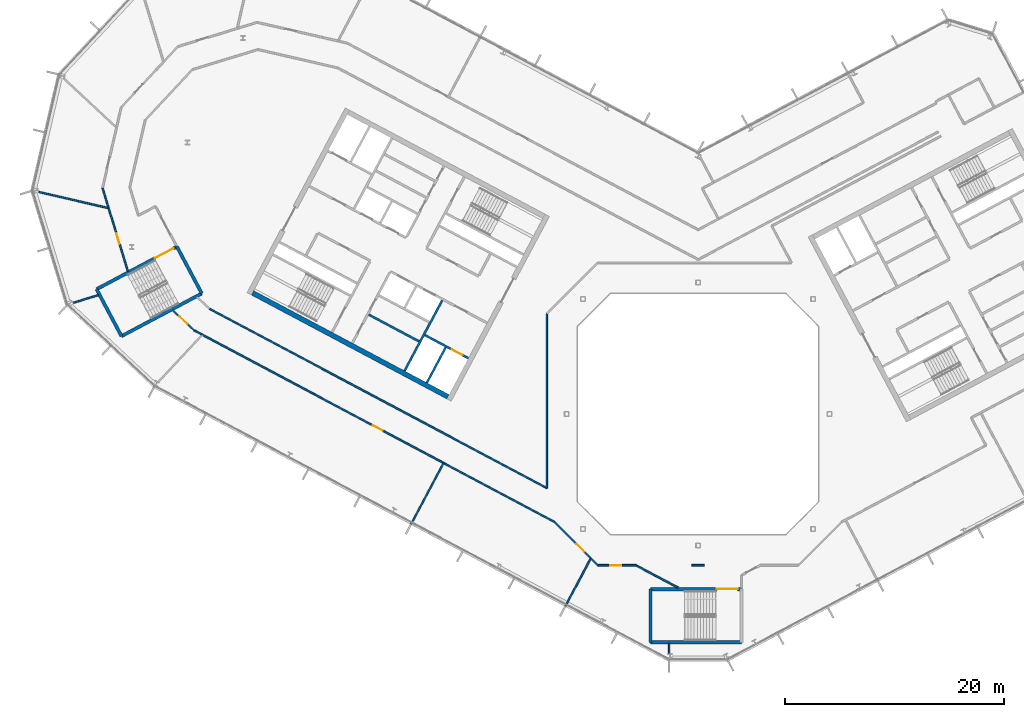
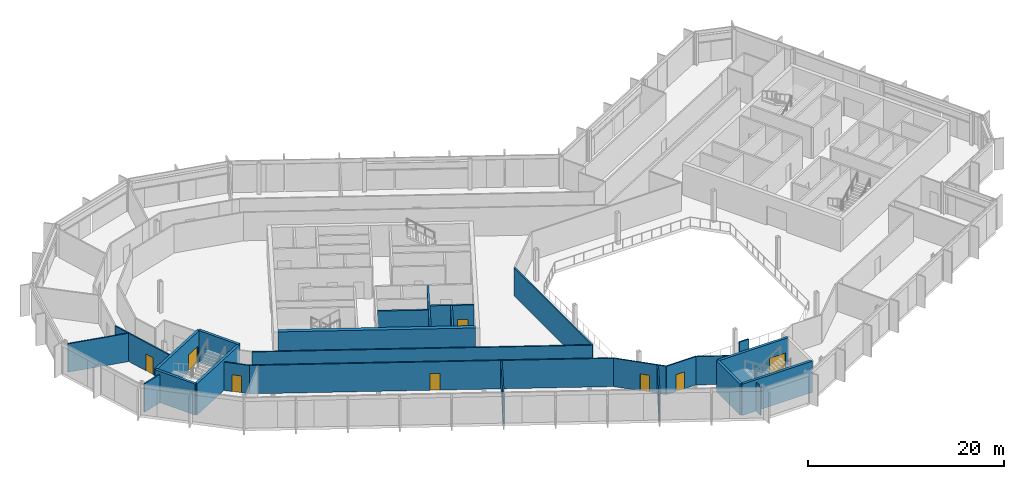
# One storey, part 13 of 26: 29 walls, 8 doors, 8 openings.
"""IFC4 building model written with IfcOpenShell, lengths in metres."""

from ifc_helpers import new_model, si_unit, direction, frame, frame_2d, origin, place, context, subcontext, project, spatial, rectangle, extrude, material, layer, layer_set, type_object, element, fill, save


model = new_model("IFC4")

# Units and contexts
model_context = context("Model", 3, precision=1e-05, world=origin(), true_north=direction((0.0, 1.0)))
body_context = subcontext(model_context, "Body", "Model", "MODEL_VIEW")
ifc_project = project(units=[si_unit("LENGTHUNIT", "METRE"), si_unit("AREAUNIT", "SQUARE_METRE"), si_unit("VOLUMEUNIT", "CUBIC_METRE"), si_unit("PLANEANGLEUNIT", "RADIAN"), si_unit("MASSUNIT", "GRAM", prefix="KILO")], contexts=[model_context])

# Site, building, storey
site_placement = place(None, origin())
site = spatial("IfcSite", under=ifc_project, at=site_placement, CompositionType="ELEMENT")
building_placement = place(site_placement, origin())
building = spatial("IfcBuilding", under=site, at=building_placement, Name="Cormorant Relay Tower", CompositionType="ELEMENT")
storey_placement = place(building_placement, frame((0.0, 0.0, 293.10009765625)))
storey = spatial("IfcBuildingStorey", under=building, at=storey_placement, Name="L66", CompositionType="ELEMENT", Elevation=293.10009765625)

# Walls
ifc_material_1 = material(Name="Concrete 40 MPa", Category="concrete")
ifc_layer_1 = layer(ifc_material_1, 0.199951171875)
ifc_layer_set_1 = layer_set([ifc_layer_1], Name="Core internal wall 200")
wall_type_1 = type_object("IfcWallType", Name="Core internal wall 200", PredefinedType="SOLIDWALL", material=ifc_layer_set_1)
wall_1_placement = place(storey_placement, frame((-25.46728515625, 6.632568359375, 0.0), z_axis=(0.0, 0.0, 1.0), x_axis=(-0.882953967957, 0.469459572775, 0.0)))
element("IfcWall", 1, at=wall_1_placement, inside=storey, type_object=wall_type_1, Name="L66 core A shaft and room wall", PredefinedType="SOLIDWALL", context=body_context, shape_type="SweptSolid", body=[
    extrude(rectangle(XDim=5.199951171875, YDim=0.199951171875, at=frame_2d((2.60009765625, 0.0))), origin(), (0.0, 0.0, 1.0), 3.89990234375),
])
ifc_material_2 = material(Name="Concrete 50 MPa", Category="concrete")
ifc_layer_2 = layer(ifc_material_2, 0.199951171875)
ifc_layer_set_2 = layer_set([ifc_layer_2], Name="Core shaft wall 200")
wall_type_2 = type_object("IfcWallType", Name="Core shaft wall 200", PredefinedType="SHEAR", material=ifc_layer_set_2)
wall_2_placement = place(storey_placement, frame((-23.04296875, 6.07958984375, 0.0), z_axis=(0.0, 0.0, 1.0), x_axis=(-0.469494272526, -0.882935517501, 0.0)))
element("IfcWall", 2, at=wall_2_placement, inside=storey, type_object=wall_type_2, Name="L66 core A shaft wall", PredefinedType="SHEAR", context=body_context, shape_type="SweptSolid", body=[
    extrude(rectangle(XDim=3.64990234375, YDim=0.199951171875, at=frame_2d((1.824951171875, 0.0))), origin(), (0.0, 0.0, 1.0), 3.89990234375),
])
wall_3_placement = place(storey_placement, frame((-23.360107421875, 10.38232421875, 0.0), z_axis=(0.0, 0.0, 1.0), x_axis=(-0.469480409012, -0.88294288918, 0.0)))
element("IfcWall", 3, at=wall_3_placement, inside=storey, type_object=wall_type_2, Name="L66 core A shaft wall", PredefinedType="SHEAR", context=body_context, shape_type="SweptSolid", body=[
    extrude(rectangle(XDim=7.300048828125, YDim=0.199951171875, at=frame_2d((3.64990234375, 0.0))), origin(), (0.0, 0.0, 1.0), 3.89990234375),
])

# Wall, opening, door
wall_4_placement = place(storey_placement, frame((-20.96533203125, 5.088134765625, 0.0), z_axis=(0.0, 0.0, 1.0), x_axis=(-0.882925986334, 0.469512196493, 0.0)))
wall_4 = element("IfcWall", 4, at=wall_4_placement, inside=storey, type_object=wall_type_2, Name="L66 core A shaft wall", PredefinedType="SHEAR", context=body_context, shape_type="SweptSolid", body=[
    extrude(rectangle(XDim=4.5, YDim=0.199951171875, at=frame_2d((2.25, 0.0))), origin(), (0.0, 0.0, 1.0), 3.89990234375),
])
opening_1_placement = place(wall_4_placement, frame((0.60009765625, 0.0, 0.0)))
opening_1 = element("IfcOpeningElement", 5, at=opening_1_placement, cuts=wall_4, Name="Opening LD1-063", PredefinedType="OPENING", context=body_context, shape_type="SweptSolid", body=[
    extrude(rectangle(XDim=1.10009765625, YDim=2.10009765625, at=frame_2d((0.550048828125, 1.050048828125))), frame((0.0, 0.10986328125, 0.0), z_axis=(0.0, -1.0, 0.0), x_axis=(1.0, 0.0, 0.0)), (0.0, 0.0, 1.0), 0.219970703125),
])
ifc_material_3 = material(Name="Stainless steel 316", Category="steel")
door_type_1 = type_object("IfcDoorType", Name="Lift landing door 1100x2100", OperationType="DOUBLE_DOOR_SLIDING", PredefinedType="DOOR", material=ifc_material_3)
door_1_placement = place(opening_1_placement, origin())
door_1 = element("IfcDoor", 6, at=door_1_placement, inside=storey, type_object=door_type_1, Name="FF1 landing door", OperationType="DOUBLE_DOOR_SLIDING", OverallHeight=2.10009765625, OverallWidth=1.10009765625, PredefinedType="DOOR", context=body_context, shape_type="SweptSolid", body=[
    extrude(rectangle(XDim=1.10009765625, YDim=2.10009765625, at=frame_2d((0.550048828125, 1.050048828125))), frame((0.0, 0.02490234375, 0.0), z_axis=(0.0, -1.0, 0.0), x_axis=(1.0, 0.0, 0.0)), (0.0, 0.0, 1.0), 0.050048828125),
])
fill(opening_1, door_1)

# Walls
ifc_material_4 = material(Name="Concrete 50 MPa", Category="concrete")
ifc_layer_3 = layer(ifc_material_4, 0.449951171875)
ifc_layer_set_3 = layer_set([ifc_layer_3], Name="Core wall 450")
wall_type_3 = type_object("IfcWallType", Name="Core wall 450", PredefinedType="SHEAR", material=ifc_layer_set_3)
wall_5_placement = place(storey_placement, frame((-22.83154296875, 1.578369140625, 0.0), z_axis=(0.0, 0.0, 1.0), x_axis=(-0.88294509198, 0.469476266226, 0.0)))
element("IfcWall", 7, at=wall_5_placement, inside=storey, type_object=wall_type_3, Name="L66 core A wall", PredefinedType="SHEAR", context=body_context, shape_type="SweptSolid", body=[
    extrude(rectangle(XDim=20.199951171875, YDim=0.449951171875, at=frame_2d((10.10009765625, 0.0))), origin(), (0.0, 0.0, 1.0), 3.89990234375),
])
ifc_material_5 = material(Name="Gypsum board fire partition")
ifc_layer_4 = layer(ifc_material_5, 0.14990234375)
ifc_layer_set_4 = layer_set([ifc_layer_4], Name="Corridor partition 150 EI 60")
wall_type_4 = type_object("IfcWallType", Name="Corridor partition 150 EI 60", PredefinedType="PARTITIONING", material=ifc_layer_set_4)
wall_6_placement = place(storey_placement, frame((-54.35693359375, 20.615966796875, 0.0), z_axis=(0.0, 0.0, 1.0), x_axis=(0.29225817084, -0.956339459385, 0.0)))
element("IfcWall", 8, at=wall_6_placement, inside=storey, type_object=wall_type_4, Name="wall/L66/part/005", PredefinedType="PARTITIONING", context=body_context, shape_type="SweptSolid", body=[
    extrude(rectangle(XDim=1.8779296875, YDim=0.14990234375, at=frame_2d((0.93896484375, 0.0))), origin(), (0.0, 0.0, 1.0), 3.539794921875),
])

# Wall, opening, door
wall_7_placement = place(storey_placement, frame((-52.0380859375, 13.031005859375, 0.0), z_axis=(0.0, 0.0, 1.0), x_axis=(-0.29239066517, 0.956298958967, 0.0)))
wall_7 = element("IfcWall", 9, at=wall_7_placement, inside=storey, type_object=wall_type_4, Name="wall/L66/part/006", PredefinedType="PARTITIONING", context=body_context, shape_type="SweptSolid", body=[
    extrude(rectangle(XDim=6.0537109375, YDim=0.14990234375, at=frame_2d((3.02685546875, 0.0))), origin(), (0.0, 0.0, 1.0), 3.539794921875),
])
opening_2_placement = place(wall_7_placement, frame((2.60009765625, 0.0, 0.0)))
opening_2 = element("IfcOpeningElement", 10, at=opening_2_placement, cuts=wall_7, Name="Opening DS-227", PredefinedType="OPENING", context=body_context, shape_type="SweptSolid", body=[
    extrude(rectangle(XDim=1.0, YDim=2.10009765625, at=frame_2d((0.5, 1.050048828125))), frame((0.0, 0.0849609375, 0.0), z_axis=(0.0, -1.0, 0.0), x_axis=(1.0, 0.0, 0.0)), (0.0, 0.0, 1.0), 0.169921875),
])
ifc_material_6 = material(Name="Timber door leaf", Category="wood")
door_type_2 = type_object("IfcDoorType", Name="Suite door 1000x2100", OperationType="SINGLE_SWING_LEFT", PredefinedType="DOOR", material=ifc_material_6)
door_2_placement = place(opening_2_placement, origin())
door_2 = element("IfcDoor", 11, at=door_2_placement, inside=storey, type_object=door_type_2, Name="door/L66/012", OperationType="SINGLE_SWING_LEFT", OverallHeight=2.10009765625, OverallWidth=1.0, PredefinedType="DOOR", context=body_context, shape_type="SweptSolid", body=[
    extrude(rectangle(XDim=1.0, YDim=2.10009765625, at=frame_2d((0.5, 1.050048828125))), frame((0.0, 0.02490234375, 0.0), z_axis=(0.0, -1.0, 0.0), x_axis=(1.0, 0.0, 0.0)), (0.0, 0.0, 1.0), 0.050048828125),
])
fill(opening_2, door_2)

# Walls
wall_8_placement = place(storey_placement, frame((-13.800048828125, 9.159912109375, 0.0), z_axis=(0.0, 0.0, 1.0), x_axis=(0.0, -1.0, 0.0)))
element("IfcWall", 12, at=wall_8_placement, inside=storey, type_object=wall_type_4, Name="wall/L66/part/029", PredefinedType="PARTITIONING", context=body_context, shape_type="SweptSolid", body=[
    extrude(rectangle(XDim=15.9228515625, YDim=0.14990234375, at=frame_2d((7.96142578125, 0.0))), origin(), (0.0, 0.0, 1.0), 3.539794921875),
])
wall_9_placement = place(storey_placement, frame((-13.800048828125, -6.762939453125, 0.0), z_axis=(0.0, 0.0, 1.0), x_axis=(-0.882949839356, 0.469467337716, 0.0)))
element("IfcWall", 13, at=wall_9_placement, inside=storey, type_object=wall_type_4, Name="wall/L66/part/030", PredefinedType="PARTITIONING", context=body_context, shape_type="SweptSolid", body=[
    extrude(rectangle(XDim=34.864990234375, YDim=0.14990234375, at=frame_2d((17.4326171875, 0.0))), origin(), (0.0, 0.0, 1.0), 3.539794921875),
])
wall_10_placement = place(storey_placement, frame((-45.299072265625, 7.26708984375, 0.0), z_axis=(0.0, 0.0, 1.0), x_axis=(-0.882897191907, 0.469566340918, 0.0)))
element("IfcWall", 14, at=wall_10_placement, inside=storey, type_object=wall_type_4, Name="wall/L66/part/032", PredefinedType="PARTITIONING", context=body_context, shape_type="SweptSolid", body=[
    extrude(rectangle(XDim=0.781494140625, YDim=0.14990234375, at=frame_2d((0.390625, 0.0))), origin(), (0.0, 0.0, 1.0), 3.539794921875),
])

# Wall, opening, door
wall_11_placement = place(storey_placement, frame((-45.989013671875, 7.634033203125, 0.0), z_axis=(0.0, 0.0, 1.0), x_axis=(-0.731461293005, 0.681882964178, 0.0)))
wall_11 = element("IfcWall", 15, at=wall_11_placement, inside=storey, type_object=wall_type_4, Name="wall/L66/part/033", PredefinedType="PARTITIONING", context=body_context, shape_type="SweptSolid", body=[
    extrude(rectangle(XDim=2.698486328125, YDim=0.14990234375, at=frame_2d((1.34912109375, 0.0))), origin(), (0.0, 0.0, 1.0), 3.539794921875),
])
opening_3_placement = place(wall_11_placement, frame((0.85009765625, 0.0, 0.0)))
opening_3 = element("IfcOpeningElement", 16, at=opening_3_placement, cuts=wall_11, Name="Opening DS-228", PredefinedType="OPENING", context=body_context, shape_type="SweptSolid", body=[
    extrude(rectangle(XDim=1.0, YDim=2.10009765625, at=frame_2d((0.5, 1.050048828125))), frame((0.0, 0.0849609375, 0.0), z_axis=(0.0, -1.0, 0.0), x_axis=(1.0, 0.0, 0.0)), (0.0, 0.0, 1.0), 0.169921875),
])
door_3_placement = place(opening_3_placement, origin())
door_3 = element("IfcDoor", 17, at=door_3_placement, inside=storey, type_object=door_type_2, Name="door/L66/013", OperationType="SINGLE_SWING_RIGHT", OverallHeight=2.10009765625, OverallWidth=1.0, PredefinedType="DOOR", context=body_context, shape_type="SweptSolid", body=[
    extrude(rectangle(XDim=1.0, YDim=2.10009765625, at=frame_2d((0.5, 1.050048828125))), frame((0.0, 0.02490234375, 0.0), z_axis=(0.0, -1.0, 0.0), x_axis=(1.0, 0.0, 0.0)), (0.0, 0.0, 1.0), 0.050048828125),
])
fill(opening_3, door_3)

wall_12_placement = place(storey_placement, frame((-9.7900390625, -13.169921875, 0.0), z_axis=(0.0, 0.0, 1.0), x_axis=(-0.707106781187, 0.707106781187, 0.0)))
wall_12 = element("IfcWall", 18, at=wall_12_placement, inside=storey, type_object=wall_type_4, Name="wall/L66/part/034", PredefinedType="PARTITIONING", context=body_context, shape_type="SweptSolid", body=[
    extrude(rectangle(XDim=4.700927734375, YDim=0.14990234375, at=frame_2d((2.3505859375, 0.0))), origin(), (0.0, 0.0, 1.0), 3.539794921875),
])
opening_4_placement = place(wall_12_placement, frame((0.85107421875, 0.0, 0.0)))
opening_4 = element("IfcOpeningElement", 19, at=opening_4_placement, cuts=wall_12, Name="Opening DS-230", PredefinedType="OPENING", context=body_context, shape_type="SweptSolid", body=[
    extrude(rectangle(XDim=1.0, YDim=2.10009765625, at=frame_2d((0.5, 1.050048828125))), frame((0.0, 0.0849609375, 0.0), z_axis=(0.0, -1.0, 0.0), x_axis=(1.0, 0.0, 0.0)), (0.0, 0.0, 1.0), 0.169921875),
])
door_4_placement = place(opening_4_placement, origin())
door_4 = element("IfcDoor", 20, at=door_4_placement, inside=storey, type_object=door_type_2, Name="door/L66/015", OperationType="SINGLE_SWING_LEFT", OverallHeight=2.10009765625, OverallWidth=1.0, PredefinedType="DOOR", context=body_context, shape_type="SweptSolid", body=[
    extrude(rectangle(XDim=1.0, YDim=2.10009765625, at=frame_2d((0.5, 1.050048828125))), frame((0.0, 0.02490234375, 0.0), z_axis=(0.0, -1.0, 0.0), x_axis=(1.0, 0.0, 0.0)), (0.0, 0.0, 1.0), 0.050048828125),
])
fill(opening_4, door_4)

wall_13_placement = place(storey_placement, frame((-13.114013671875, -9.845947265625, 0.0), z_axis=(0.0, 0.0, 1.0), x_axis=(-0.88294829908, 0.469470234575, 0.0)))
wall_13 = element("IfcWall", 21, at=wall_13_placement, inside=storey, type_object=wall_type_4, Name="wall/L66/part/035", PredefinedType="PARTITIONING", context=body_context, shape_type="SweptSolid", body=[
    extrude(rectangle(XDim=36.451904296875, YDim=0.14990234375, at=frame_2d((18.22607421875, 0.0))), origin(), (0.0, 0.0, 1.0), 3.539794921875),
])
opening_5_placement = place(wall_13_placement, frame((17.75, 0.0, 0.0)))
opening_5 = element("IfcOpeningElement", 22, at=opening_5_placement, cuts=wall_13, Name="Opening DS-229", PredefinedType="OPENING", context=body_context, shape_type="SweptSolid", body=[
    extrude(rectangle(XDim=1.0, YDim=2.10009765625, at=frame_2d((0.5, 1.050048828125))), frame((0.0, 0.0849609375, 0.0), z_axis=(0.0, -1.0, 0.0), x_axis=(1.0, 0.0, 0.0)), (0.0, 0.0, 1.0), 0.169921875),
])
door_5_placement = place(opening_5_placement, origin())
door_5 = element("IfcDoor", 23, at=door_5_placement, inside=storey, type_object=door_type_2, Name="door/L66/014", OperationType="SINGLE_SWING_LEFT", OverallHeight=2.10009765625, OverallWidth=1.0, PredefinedType="DOOR", context=body_context, shape_type="SweptSolid", body=[
    extrude(rectangle(XDim=1.0, YDim=2.10009765625, at=frame_2d((0.5, 1.050048828125))), frame((0.0, 0.02490234375, 0.0), z_axis=(0.0, -1.0, 0.0), x_axis=(1.0, 0.0, 0.0)), (0.0, 0.0, 1.0), 0.050048828125),
])
fill(opening_5, door_5)

wall_14_placement = place(storey_placement, frame((-5.626953125, -13.800048828125, 0.0), z_axis=(0.0, 0.0, 1.0), x_axis=(-1.0, 0.0, 0.0)))
wall_14 = element("IfcWall", 24, at=wall_14_placement, inside=storey, type_object=wall_type_4, Name="wall/L66/part/048", PredefinedType="PARTITIONING", context=body_context, shape_type="SweptSolid", body=[
    extrude(rectangle(XDim=3.532958984375, YDim=0.14990234375, at=frame_2d((1.7666015625, 0.0))), origin(), (0.0, 0.0, 1.0), 3.539794921875),
])
opening_6_placement = place(wall_14_placement, frame((1.402099609375, 0.0, 0.0)))
opening_6 = element("IfcOpeningElement", 25, at=opening_6_placement, cuts=wall_14, Name="Opening DS-231", PredefinedType="OPENING", context=body_context, shape_type="SweptSolid", body=[
    extrude(rectangle(XDim=1.0, YDim=2.10009765625, at=frame_2d((0.5, 1.050048828125))), frame((0.0, 0.0849609375, 0.0), z_axis=(0.0, -1.0, 0.0), x_axis=(1.0, 0.0, 0.0)), (0.0, 0.0, 1.0), 0.169921875),
])
door_6_placement = place(opening_6_placement, origin())
door_6 = element("IfcDoor", 26, at=door_6_placement, inside=storey, type_object=door_type_2, Name="door/L66/016", OperationType="SINGLE_SWING_LEFT", OverallHeight=2.10009765625, OverallWidth=1.0, PredefinedType="DOOR", context=body_context, shape_type="SweptSolid", body=[
    extrude(rectangle(XDim=1.0, YDim=2.10009765625, at=frame_2d((0.5, 1.050048828125))), frame((0.0, 0.02490234375, 0.0), z_axis=(0.0, -1.0, 0.0), x_axis=(1.0, 0.0, 0.0)), (0.0, 0.0, 1.0), 0.050048828125),
])
fill(opening_6, door_6)

# Walls
wall_15_placement = place(storey_placement, frame((-9.159912109375, -13.800048828125, 0.0), z_axis=(0.0, 0.0, 1.0), x_axis=(-0.707106781187, 0.707106781187, 0.0)))
element("IfcWall", 27, at=wall_15_placement, inside=storey, type_object=wall_type_4, Name="wall/L66/part/049", PredefinedType="PARTITIONING", context=body_context, shape_type="SweptSolid", body=[
    extrude(rectangle(XDim=0.89111328125, YDim=0.14990234375, at=frame_2d((0.445556640625, 0.0))), origin(), (0.0, 0.0, 1.0), 3.539794921875),
])
wall_16_placement = place(storey_placement, frame((-1.823974609375, -15.847900390625, 0.0), z_axis=(0.0, 0.0, 1.0), x_axis=(-0.883027323354, 0.469321580807, 0.0)))
element("IfcWall", 28, at=wall_16_placement, inside=storey, type_object=wall_type_4, Name="wall/L66/part/050", PredefinedType="PARTITIONING", context=body_context, shape_type="SweptSolid", body=[
    extrude(rectangle(XDim=4.363525390625, YDim=0.14990234375, at=frame_2d((2.181640625, 0.0))), origin(), (0.0, 0.0, 1.0), 3.539794921875),
])
wall_17_placement = place(storey_placement, frame((0.56494140625, -13.800048828125, 0.0), z_axis=(0.0, 0.0, 1.0), x_axis=(-1.0, 0.0, 0.0)))
element("IfcWall", 29, at=wall_17_placement, inside=storey, type_object=wall_type_4, Name="wall/L66/part/072", PredefinedType="PARTITIONING", context=body_context, shape_type="SweptSolid", body=[
    extrude(rectangle(XDim=1.1298828125, YDim=0.14990234375, at=frame_2d((0.56494140625, 0.0))), origin(), (0.0, 0.0, 1.0), 3.539794921875),
])
ifc_material_7 = material(Name="Concrete 50 MPa", Category="concrete")
ifc_layer_5 = layer(ifc_material_7, 0.300048828125)
ifc_layer_set_5 = layer_set([ifc_layer_5], Name="Remote stair wall 300")
wall_type_5 = type_object("IfcWallType", Name="Remote stair wall 300", PredefinedType="SHEAR", material=ifc_layer_set_5)
wall_18_placement = place(storey_placement, frame((3.949951171875, -20.824951171875, 0.0), z_axis=(0.0, 0.0, 1.0), x_axis=(-1.0, 0.0, 0.0)))
element("IfcWall", 30, at=wall_18_placement, inside=storey, type_object=wall_type_5, Name="L66 exit stair RK1 wall", PredefinedType="SHEAR", context=body_context, shape_type="SweptSolid", body=[
    extrude(rectangle(XDim=8.300048828125, YDim=0.300048828125, at=frame_2d((4.14990234375, 0.0))), origin(), (0.0, 0.0, 1.0), 3.89990234375),
])
wall_19_placement = place(storey_placement, frame((-4.35009765625, -20.824951171875, 0.0), z_axis=(0.0, 0.0, 1.0), x_axis=(0.0, 1.0, 0.0)))
element("IfcWall", 31, at=wall_19_placement, inside=storey, type_object=wall_type_5, Name="L66 exit stair RK1 wall", PredefinedType="SHEAR", context=body_context, shape_type="SweptSolid", body=[
    extrude(rectangle(XDim=4.849853515625, YDim=0.300048828125, at=frame_2d((2.4248046875, 0.0))), origin(), (0.0, 0.0, 1.0), 3.89990234375),
])

# Wall, opening, door
wall_20_placement = place(storey_placement, frame((-4.35009765625, -15.97509765625, 0.0), z_axis=(0.0, 0.0, 1.0), x_axis=(1.0, 0.0, 0.0)))
wall_20 = element("IfcWall", 32, at=wall_20_placement, inside=storey, type_object=wall_type_5, Name="L66 exit stair RK1 wall", PredefinedType="SHEAR", context=body_context, shape_type="SweptSolid", body=[
    extrude(rectangle(XDim=8.300048828125, YDim=0.300048828125, at=frame_2d((4.14990234375, 0.0))), origin(), (0.0, 0.0, 1.0), 3.89990234375),
])
opening_7_placement = place(wall_20_placement, frame((6.050048828125, 0.0, 0.0)))
opening_7 = element("IfcOpeningElement", 33, at=opening_7_placement, cuts=wall_20, Name="Opening CDE-014", PredefinedType="OPENING", context=body_context, shape_type="SweptSolid", body=[
    extrude(rectangle(XDim=1.89990234375, YDim=2.10009765625, at=frame_2d((0.949951171875, 1.050048828125))), frame((0.0, 0.159912109375, 0.0), z_axis=(0.0, -1.0, 0.0), x_axis=(1.0, 0.0, 0.0)), (0.0, 0.0, 1.0), 0.320068359375),
])
ifc_material_8 = material(Name="Steel fire door", Category="steel")
door_type_3 = type_object("IfcDoorType", Name="Remote stair door 1900x2100", OperationType="DOUBLE_DOOR_SINGLE_SWING", PredefinedType="DOOR", material=ifc_material_8)
door_7_placement = place(opening_7_placement, frame((1.89990234375, 0.0, 0.0), z_axis=(0.0, 0.0, 1.0), x_axis=(-1.0, 0.0, 0.0)))
door_7 = element("IfcDoor", 34, at=door_7_placement, inside=storey, type_object=door_type_3, Name="Exit stair RK1 door", OperationType="DOUBLE_DOOR_SINGLE_SWING", OverallHeight=2.10009765625, OverallWidth=1.89990234375, PredefinedType="DOOR", context=body_context, shape_type="SweptSolid", body=[
    extrude(rectangle(XDim=1.89990234375, YDim=2.10009765625, at=frame_2d((0.949951171875, 1.050048828125))), frame((0.0, 0.02490234375, 0.0), z_axis=(0.0, -1.0, 0.0), x_axis=(1.0, 0.0, 0.0)), (0.0, 0.0, 1.0), 0.050048828125),
])
fill(opening_7, door_7)

# Walls
wall_21_placement = place(storey_placement, frame((-47.57421875, 15.28955078125, 0.0), z_axis=(0.0, 0.0, 1.0), x_axis=(0.469443498566, -0.882962514297, 0.0)))
element("IfcWall", 35, at=wall_21_placement, inside=storey, type_object=wall_type_5, Name="L66 exit stair RP1 wall", PredefinedType="SHEAR", context=body_context, shape_type="SweptSolid", body=[
    extrude(rectangle(XDim=4.85009765625, YDim=0.300048828125, at=frame_2d((2.425048828125, 0.0))), origin(), (0.0, 0.0, 1.0), 3.89990234375),
])
wall_22_placement = place(storey_placement, frame((-45.29736328125, 11.007080078125, 0.0), z_axis=(0.0, 0.0, 1.0), x_axis=(-0.882951519127, -0.469464178475, 0.0)))
element("IfcWall", 36, at=wall_22_placement, inside=storey, type_object=wall_type_5, Name="L66 exit stair RP1 wall", PredefinedType="SHEAR", context=body_context, shape_type="SweptSolid", body=[
    extrude(rectangle(XDim=8.2998046875, YDim=0.300048828125, at=frame_2d((4.14990234375, 0.0))), origin(), (0.0, 0.0, 1.0), 3.89990234375),
])
wall_23_placement = place(storey_placement, frame((-52.625732421875, 7.110595703125, 0.0), z_axis=(0.0, 0.0, 1.0), x_axis=(-0.469464364128, 0.882951420416, 0.0)))
element("IfcWall", 37, at=wall_23_placement, inside=storey, type_object=wall_type_5, Name="L66 exit stair RP1 wall", PredefinedType="SHEAR", context=body_context, shape_type="SweptSolid", body=[
    extrude(rectangle(XDim=4.849853515625, YDim=0.300048828125, at=frame_2d((2.4248046875, 0.0))), origin(), (0.0, 0.0, 1.0), 3.89990234375),
])

# Wall, opening, door
wall_24_placement = place(storey_placement, frame((-54.902587890625, 11.392822265625, 0.0), z_axis=(0.0, 0.0, 1.0), x_axis=(0.882939326045, 0.469487110071, 0.0)))
wall_24 = element("IfcWall", 38, at=wall_24_placement, inside=storey, type_object=wall_type_5, Name="L66 exit stair RP1 wall", PredefinedType="SHEAR", context=body_context, shape_type="SweptSolid", body=[
    extrude(rectangle(XDim=8.300048828125, YDim=0.300048828125, at=frame_2d((4.14990234375, 0.0))), origin(), (0.0, 0.0, 1.0), 3.89990234375),
])
opening_8_placement = place(wall_24_placement, frame((6.050048828125, 0.0, 0.0)))
opening_8 = element("IfcOpeningElement", 39, at=opening_8_placement, cuts=wall_24, Name="Opening CDE-015", PredefinedType="OPENING", context=body_context, shape_type="SweptSolid", body=[
    extrude(rectangle(XDim=1.89990234375, YDim=2.10009765625, at=frame_2d((0.949951171875, 1.050048828125))), frame((0.0, 0.159912109375, 0.0), z_axis=(0.0, -1.0, 0.0), x_axis=(1.0, 0.0, 0.0)), (0.0, 0.0, 1.0), 0.320068359375),
])
door_8_placement = place(opening_8_placement, frame((1.89990234375, 0.0, 0.0), z_axis=(0.0, 0.0, 1.0), x_axis=(-1.0, 0.0, 0.0)))
door_8 = element("IfcDoor", 40, at=door_8_placement, inside=storey, type_object=door_type_3, Name="Exit stair RP1 door", OperationType="DOUBLE_DOOR_SINGLE_SWING", OverallHeight=2.10009765625, OverallWidth=1.89990234375, PredefinedType="DOOR", context=body_context, shape_type="SweptSolid", body=[
    extrude(rectangle(XDim=1.89990234375, YDim=2.10009765625, at=frame_2d((0.949951171875, 1.050048828125))), frame((0.0, 0.02490234375, 0.0), z_axis=(0.0, -1.0, 0.0), x_axis=(1.0, 0.0, 0.0)), (0.0, 0.0, 1.0), 0.050048828125),
])
fill(opening_8, door_8)

# Walls
ifc_material_9 = material(Name="Gypsum board partition")
ifc_layer_6 = layer(ifc_material_9, 0.14990234375)
ifc_layer_set_6 = layer_set([ifc_layer_6], Name="Tenant partition 150")
wall_type_6 = type_object("IfcWallType", Name="Tenant partition 150", PredefinedType="PARTITIONING", material=ifc_layer_set_6)
wall_25_placement = place(storey_placement, frame((-53.800048828125, 18.7958984375, 0.0), z_axis=(0.0, 0.0, 1.0), x_axis=(-0.974354729311, 0.225017469254, 0.0)))
element("IfcWall", 41, at=wall_25_placement, inside=storey, type_object=wall_type_6, Name="wall/L66/part/001", PredefinedType="PARTITIONING", context=body_context, shape_type="SweptSolid", body=[
    extrude(rectangle(XDim=6.546875, YDim=0.14990234375, at=frame_2d((3.2734375, 0.0))), origin(), (0.0, 0.0, 1.0), 3.539794921875),
])
wall_26_placement = place(storey_placement, frame((-54.73193359375, 10.85693359375, 0.0), z_axis=(0.0, 0.0, 1.0), x_axis=(-0.956231519395, -0.292611143525, 0.0)))
element("IfcWall", 42, at=wall_26_placement, inside=storey, type_object=wall_type_6, Name="wall/L66/part/003", PredefinedType="PARTITIONING", context=body_context, shape_type="SweptSolid", body=[
    extrude(rectangle(XDim=2.385498046875, YDim=0.14990234375, at=frame_2d((1.19287109375, 0.0))), origin(), (0.0, 0.0, 1.0), 3.539794921875),
])
wall_27_placement = place(storey_placement, frame((-23.23291015625, -4.466064453125, 0.0), z_axis=(0.0, 0.0, 1.0), x_axis=(-0.469528158273, -0.882917498178, 0.0)))
element("IfcWall", 43, at=wall_27_placement, inside=storey, type_object=wall_type_6, Name="wall/L66/part/013", PredefinedType="PARTITIONING", context=body_context, shape_type="SweptSolid", body=[
    extrude(rectangle(XDim=6.349365234375, YDim=0.14990234375, at=frame_2d((3.1748046875, 0.0))), origin(), (0.0, 0.0, 1.0), 3.539794921875),
])
wall_28_placement = place(storey_placement, frame((-9.7939453125, -13.1650390625, 0.0), z_axis=(0.0, 0.0, 1.0), x_axis=(-0.469669090987, -0.882842536906, 0.0)))
element("IfcWall", 44, at=wall_28_placement, inside=storey, type_object=wall_type_6, Name="wall/L66/part/046", PredefinedType="PARTITIONING", context=body_context, shape_type="SweptSolid", body=[
    extrude(rectangle(XDim=4.978271484375, YDim=0.14990234375, at=frame_2d((2.4892578125, 0.0))), origin(), (0.0, 0.0, 1.0), 3.539794921875),
])
wall_29_placement = place(storey_placement, frame((-2.64892578125, -20.925048828125, 0.0), z_axis=(0.0, 0.0, 1.0), x_axis=(0.0, -1.0, 0.0)))
element("IfcWall", 45, at=wall_29_placement, inside=storey, type_object=wall_type_6, Name="wall/L66/part/051", PredefinedType="PARTITIONING", context=body_context, shape_type="SweptSolid", body=[
    extrude(rectangle(XDim=0.966064453125, YDim=0.14990234375, at=frame_2d((0.48291015625, 0.0))), origin(), (0.0, 0.0, 1.0), 3.539794921875),
])

save(model, "model.ifc")
